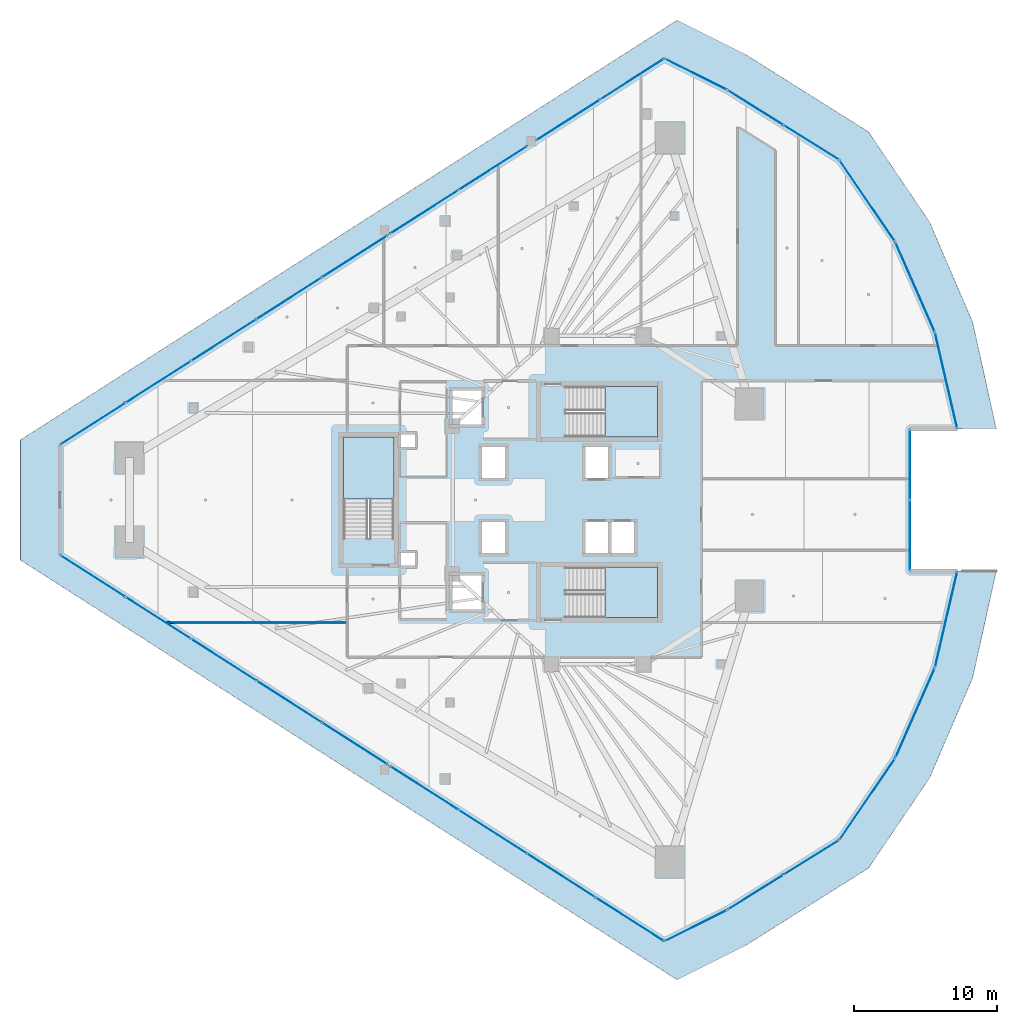
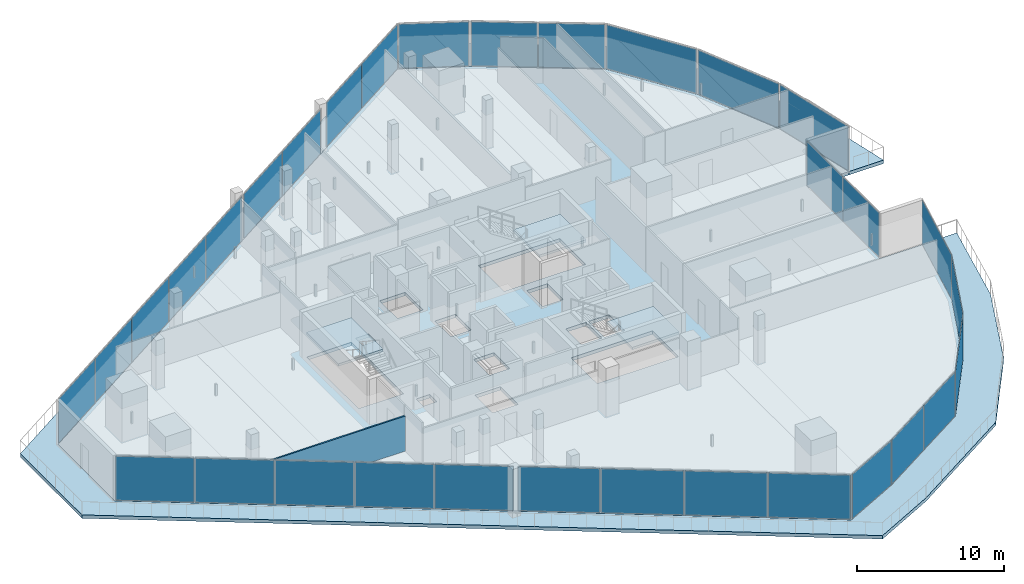
# One storey, part 22 of 35: 32 plates, 5 slabs, 1 wall, 19 elements without a shape of their own.
"""IFC4 building model written with IfcOpenShell, lengths in metres."""

from ifc_helpers import new_model, si_unit, direction, frame, frame_2d, origin, origin_2d, place, context, subcontext, project, spatial, polyline, rectangle, outline, extrude, material, layer, layer_set, type_object, element, aggregate, save


model = new_model("IFC4")

# Units and contexts
model_context = context("Model", 3, precision=1e-05, world=origin(), true_north=direction((0.0, 1.0)))
body_context = subcontext(model_context, "Body", "Model", "MODEL_VIEW")
ifc_project = project(units=[si_unit("LENGTHUNIT", "METRE"), si_unit("AREAUNIT", "SQUARE_METRE"), si_unit("VOLUMEUNIT", "CUBIC_METRE"), si_unit("PLANEANGLEUNIT", "RADIAN"), si_unit("MASSUNIT", "GRAM", prefix="KILO")], contexts=[model_context])

# Site, building, storey
site_placement = place(None, origin())
site = spatial("IfcSite", under=ifc_project, at=site_placement, CompositionType="ELEMENT")
building_placement = place(site_placement, origin())
building = spatial("IfcBuilding", under=site, at=building_placement, Name="Qorvath Tower", CompositionType="ELEMENT")
storey_placement = place(building_placement, frame((0.0, 0.0, 130.050048828125)))
storey = spatial("IfcBuildingStorey", under=building, at=storey_placement, Name="L29", CompositionType="ELEMENT", Elevation=130.050048828125)

# Curtain wall, plates
ifc_material_1 = material(Name="Anodised aluminium and triple low-E glass", Category="aluminium")
ifc_layer_1 = layer(ifc_material_1, 0.179931640625)
ifc_layer_set_1 = layer_set([ifc_layer_1], Name="CW-SYS-2")
curtain_wall_type = type_object("IfcCurtainWallType", Name="CW-SYS-2", PredefinedType="NOTDEFINED", material=ifc_layer_set_1)
curtain_wall_1_placement = place(storey_placement, origin())
curtain_wall_1 = element("IfcCurtainWall", 1, at=curtain_wall_1_placement, inside=storey, type_object=curtain_wall_type, Name="Curtain Wall CW-2 CW-T-L29-2.1", PredefinedType="NOTDEFINED")
ifc_material_2 = material(Name="Low-E triple insulated glass", Category="glass")
ifc_layer_2 = layer(ifc_material_2, 0.031982421875)
ifc_layer_set_2 = layer_set([ifc_layer_2], Name="CWP-GLZ-32")
plate_type = type_object("IfcPlateType", Name="CWP-GLZ-32", PredefinedType="CURTAIN_PANEL", material=ifc_layer_set_2)
plate_1_placement = place(storey_placement, frame((-55.589599609375, -5.318359375, 0.06494140625), z_axis=(0.0, 0.0, 1.0), x_axis=(0.842603667285, -0.538534177075, 0.0)))
plate_1 = element("IfcPlate", 2, at=plate_1_placement, type_object=plate_type, Name="CW-2 panel 1.1", PredefinedType="CURTAIN_PANEL", context=body_context, shape_type="SweptSolid", body=[
    extrude(rectangle(XDim=5.32861328125, YDim=0.031982421875, at=origin_2d()), origin(), (0.0, 0.0, 1.0), 3.650146484375),
])
plate_2_placement = place(storey_placement, frame((-51.03125, -8.231689453125, 0.06494140625), z_axis=(0.0, 0.0, 1.0), x_axis=(0.842603667285, -0.538534177075, 0.0)))
plate_2 = element("IfcPlate", 3, at=plate_2_placement, type_object=plate_type, Name="CW-2 panel 2.1", PredefinedType="CURTAIN_PANEL", context=body_context, shape_type="SweptSolid", body=[
    extrude(rectangle(XDim=5.361083984375, YDim=0.031982421875, at=origin_2d()), origin(), (0.0, 0.0, 1.0), 3.650146484375),
])
plate_3_placement = place(storey_placement, frame((-46.459228515625, -11.15380859375, 0.06494140625), z_axis=(0.0, 0.0, 1.0), x_axis=(0.842603667285, -0.538534177075, 0.0)))
plate_3 = element("IfcPlate", 4, at=plate_3_placement, type_object=plate_type, Name="CW-2 panel 3.1", PredefinedType="CURTAIN_PANEL", context=body_context, shape_type="SweptSolid", body=[
    extrude(rectangle(XDim=5.361083984375, YDim=0.031982421875, at=origin_2d()), origin(), (0.0, 0.0, 1.0), 3.650146484375),
])
plate_4_placement = place(storey_placement, frame((-41.88720703125, -14.075927734375, 0.06494140625), z_axis=(0.0, 0.0, 1.0), x_axis=(0.842603667285, -0.538534177075, 0.0)))
plate_4 = element("IfcPlate", 5, at=plate_4_placement, type_object=plate_type, Name="CW-2 panel 4.1", PredefinedType="CURTAIN_PANEL", context=body_context, shape_type="SweptSolid", body=[
    extrude(rectangle(XDim=5.361083984375, YDim=0.031982421875, at=origin_2d()), origin(), (0.0, 0.0, 1.0), 3.650146484375),
])
plate_5_placement = place(storey_placement, frame((-37.328857421875, -16.989501953125, 0.06494140625), z_axis=(0.0, 0.0, 1.0), x_axis=(0.842603667285, -0.538534177075, 0.0)))
plate_5 = element("IfcPlate", 6, at=plate_5_placement, type_object=plate_type, Name="CW-2 panel 5.1", PredefinedType="CURTAIN_PANEL", context=body_context, shape_type="SweptSolid", body=[
    extrude(rectangle(XDim=5.32861328125, YDim=0.031982421875, at=origin_2d()), origin(), (0.0, 0.0, 1.0), 3.650146484375),
])
aggregate(curtain_wall_1, [plate_1, plate_2, plate_3, plate_4, plate_5])

curtain_wall_2_placement = place(storey_placement, origin())
curtain_wall_2 = element("IfcCurtainWall", 7, at=curtain_wall_2_placement, inside=storey, type_object=curtain_wall_type, Name="Curtain Wall CW-2 CW-T-L29-2.2", PredefinedType="NOTDEFINED")
plate_6_placement = place(storey_placement, frame((-32.474853515625, -20.091796875, 0.06494140625), z_axis=(0.0, 0.0, 1.0), x_axis=(0.84260239638, -0.538536165559, 0.0)))
plate_6 = element("IfcPlate", 8, at=plate_6_placement, type_object=plate_type, Name="CW-2 panel 1.1", PredefinedType="CURTAIN_PANEL", context=body_context, shape_type="SweptSolid", body=[
    extrude(rectangle(XDim=5.582763671875, YDim=0.031982421875, at=origin_2d()), origin(), (0.0, 0.0, 1.0), 3.650146484375),
])
plate_7_placement = place(storey_placement, frame((-27.702392578125, -23.14208984375, 0.06494140625), z_axis=(0.0, 0.0, 1.0), x_axis=(0.84260239638, -0.538536165559, 0.0)))
plate_7 = element("IfcPlate", 9, at=plate_7_placement, type_object=plate_type, Name="CW-2 panel 2.1", PredefinedType="CURTAIN_PANEL", context=body_context, shape_type="SweptSolid", body=[
    extrude(rectangle(XDim=5.615234375, YDim=0.031982421875, at=origin_2d()), origin(), (0.0, 0.0, 1.0), 3.650146484375),
])
plate_8_placement = place(storey_placement, frame((-22.916015625, -26.201171875, 0.06494140625), z_axis=(0.0, 0.0, 1.0), x_axis=(0.84260239638, -0.538536165559, 0.0)))
plate_8 = element("IfcPlate", 10, at=plate_8_placement, type_object=plate_type, Name="CW-2 panel 3.1", PredefinedType="CURTAIN_PANEL", context=body_context, shape_type="SweptSolid", body=[
    extrude(rectangle(XDim=5.615234375, YDim=0.031982421875, at=origin_2d()), origin(), (0.0, 0.0, 1.0), 3.650146484375),
])
plate_9_placement = place(storey_placement, frame((-18.1435546875, -29.251220703125, 0.06494140625), z_axis=(0.0, 0.0, 1.0), x_axis=(0.84260239638, -0.538536165559, 0.0)))
plate_9 = element("IfcPlate", 11, at=plate_9_placement, type_object=plate_type, Name="CW-2 panel 4.1", PredefinedType="CURTAIN_PANEL", context=body_context, shape_type="SweptSolid", body=[
    extrude(rectangle(XDim=5.582763671875, YDim=0.031982421875, at=origin_2d()), origin(), (0.0, 0.0, 1.0), 3.650146484375),
])
aggregate(curtain_wall_2, [plate_6, plate_7, plate_8, plate_9])

# Curtain wall, plate
curtain_wall_3_placement = place(storey_placement, origin())
curtain_wall_3 = element("IfcCurtainWall", 12, at=curtain_wall_3_placement, inside=storey, type_object=curtain_wall_type, Name="Curtain Wall CW-2 CW-T-L29-3.1", PredefinedType="NOTDEFINED")
plate_10_placement = place(storey_placement, frame((-13.53759765625, -29.68994140625, 0.06494140625), z_axis=(0.0, 0.0, 1.0), x_axis=(0.894402787992, 0.447262398188, 0.0)))
plate_10 = element("IfcPlate", 13, at=plate_10_placement, type_object=plate_type, Name="CW-2 panel 1.1", PredefinedType="CURTAIN_PANEL", context=body_context, shape_type="SweptSolid", body=[
    extrude(rectangle(XDim=4.78759765625, YDim=0.031982421875, at=origin_2d()), origin(), (0.0, 0.0, 1.0), 3.650146484375),
])
aggregate(curtain_wall_3, [plate_10])

# Curtain wall, plates
curtain_wall_4_placement = place(storey_placement, origin())
curtain_wall_4 = element("IfcCurtainWall", 14, at=curtain_wall_4_placement, inside=storey, type_object=curtain_wall_type, Name="Curtain Wall CW-2 CW-T-L29-4.1", PredefinedType="NOTDEFINED")
plate_11_placement = place(storey_placement, frame((-9.370361328125, -27.361572265625, 0.06494140625), z_axis=(0.0, 0.0, 1.0), x_axis=(0.84830786263, 0.529503324069, 0.0)))
plate_11 = element("IfcPlate", 15, at=plate_11_placement, type_object=plate_type, Name="CW-2 panel 1.1", PredefinedType="CURTAIN_PANEL", context=body_context, shape_type="SweptSolid", body=[
    extrude(rectangle(XDim=4.510009765625, YDim=0.031982421875, at=origin_2d()), origin(), (0.0, 0.0, 1.0), 3.650146484375),
])
plate_12_placement = place(storey_placement, frame((-5.4892578125, -24.939208984375, 0.06494140625), z_axis=(0.0, 0.0, 1.0), x_axis=(0.84830786263, 0.529503324069, 0.0)))
plate_12 = element("IfcPlate", 16, at=plate_12_placement, type_object=plate_type, Name="CW-2 panel 2.1", PredefinedType="CURTAIN_PANEL", context=body_context, shape_type="SweptSolid", body=[
    extrude(rectangle(XDim=4.510009765625, YDim=0.031982421875, at=origin_2d()), origin(), (0.0, 0.0, 1.0), 3.650146484375),
])
aggregate(curtain_wall_4, [plate_11, plate_12])

# Curtain wall, plate
curtain_wall_5_placement = place(storey_placement, origin())
curtain_wall_5 = element("IfcCurtainWall", 17, at=curtain_wall_5_placement, inside=storey, type_object=curtain_wall_type, Name="Curtain Wall CW-2 CW-T-L29-5.1", PredefinedType="NOTDEFINED")
plate_13_placement = place(storey_placement, frame((-1.574462890625, -20.861572265625, 0.06494140625), z_axis=(0.0, 0.0, 1.0), x_axis=(0.564163835208, 0.825662865244, 0.0)))
plate_13 = element("IfcPlate", 18, at=plate_13_placement, type_object=plate_type, Name="CW-2 panel 1.1", PredefinedType="CURTAIN_PANEL", context=body_context, shape_type="SweptSolid", body=[
    extrude(rectangle(XDim=6.771484375, YDim=0.031982421875, at=origin_2d()), origin(), (0.0, 0.0, 1.0), 3.650146484375),
])
aggregate(curtain_wall_5, [plate_13])

curtain_wall_6_placement = place(storey_placement, origin())
curtain_wall_6 = element("IfcCurtainWall", 19, at=curtain_wall_6_placement, inside=storey, type_object=curtain_wall_type, Name="Curtain Wall CW-2 CW-T-L29-6.1", PredefinedType="NOTDEFINED")
plate_14_placement = place(storey_placement, frame((1.75830078125, -14.852294921875, 0.06494140625), z_axis=(0.0, 0.0, 1.0), x_axis=(0.401648703602, 0.915793818987, 0.0)))
plate_14 = element("IfcPlate", 20, at=plate_14_placement, type_object=plate_type, Name="CW-2 panel 1.1", PredefinedType="CURTAIN_PANEL", context=body_context, shape_type="SweptSolid", body=[
    extrude(rectangle(XDim=6.771484375, YDim=0.031982421875, at=origin_2d()), origin(), (0.0, 0.0, 1.0), 3.650146484375),
])
aggregate(curtain_wall_6, [plate_14])

curtain_wall_7_placement = place(storey_placement, origin())
curtain_wall_7 = element("IfcCurtainWall", 21, at=curtain_wall_7_placement, inside=storey, type_object=curtain_wall_type, Name="Curtain Wall CW-2 CW-T-L29-7.1", PredefinedType="NOTDEFINED")
plate_15_placement = place(storey_placement, frame((3.921630859375, -8.330078125, 0.06494140625), z_axis=(0.0, 0.0, 1.0), x_axis=(0.225270080166, 0.974296356855, 0.0)))
plate_15 = element("IfcPlate", 22, at=plate_15_placement, type_object=plate_type, Name="CW-2 panel 1.1", PredefinedType="CURTAIN_PANEL", context=body_context, shape_type="SweptSolid", body=[
    extrude(rectangle(XDim=6.771484375, YDim=0.031982421875, at=origin_2d()), origin(), (0.0, 0.0, 1.0), 3.650146484375),
])
aggregate(curtain_wall_7, [plate_15])

# Curtain wall, plates
curtain_wall_8_placement = place(storey_placement, origin())
curtain_wall_8 = element("IfcCurtainWall", 23, at=curtain_wall_8_placement, inside=storey, type_object=curtain_wall_type, Name="Curtain Wall CW-2 CW-T-L29-9.1", PredefinedType="NOTDEFINED")
plate_16_placement = place(storey_placement, frame((1.386962890625, -2.4677734375, 0.06494140625), z_axis=(0.0, 0.0, 1.0), x_axis=(0.0, 1.0, 0.0)))
plate_16 = element("IfcPlate", 24, at=plate_16_placement, type_object=plate_type, Name="CW-2 panel 1.1", PredefinedType="CURTAIN_PANEL", context=body_context, shape_type="SweptSolid", body=[
    extrude(rectangle(XDim=4.87060546875, YDim=0.031982421875, at=origin_2d()), origin(), (0.0, 0.0, 1.0), 3.650146484375),
])
plate_17_placement = place(storey_placement, frame((1.386962890625, 2.4677734375, 0.06494140625), z_axis=(0.0, 0.0, 1.0), x_axis=(0.0, 1.0, 0.0)))
plate_17 = element("IfcPlate", 25, at=plate_17_placement, type_object=plate_type, Name="CW-2 panel 2.1", PredefinedType="CURTAIN_PANEL", context=body_context, shape_type="SweptSolid", body=[
    extrude(rectangle(XDim=4.87060546875, YDim=0.031982421875, at=origin_2d()), origin(), (0.0, 0.0, 1.0), 3.650146484375),
])
aggregate(curtain_wall_8, [plate_16, plate_17])

# Curtain wall, plate
curtain_wall_9_placement = place(storey_placement, origin())
curtain_wall_9 = element("IfcCurtainWall", 26, at=curtain_wall_9_placement, inside=storey, type_object=curtain_wall_type, Name="Curtain Wall CW-2 CW-T-L29-11.1", PredefinedType="NOTDEFINED")
plate_18_placement = place(storey_placement, frame((3.921630859375, 8.330078125, 0.06494140625), z_axis=(0.0, 0.0, 1.0), x_axis=(-0.225270080166, 0.974296356855, 0.0)))
plate_18 = element("IfcPlate", 27, at=plate_18_placement, type_object=plate_type, Name="CW-2 panel 1.1", PredefinedType="CURTAIN_PANEL", context=body_context, shape_type="SweptSolid", body=[
    extrude(rectangle(XDim=6.771484375, YDim=0.031982421875, at=origin_2d()), origin(), (0.0, 0.0, 1.0), 3.650146484375),
])
aggregate(curtain_wall_9, [plate_18])

curtain_wall_10_placement = place(storey_placement, origin())
curtain_wall_10 = element("IfcCurtainWall", 28, at=curtain_wall_10_placement, inside=storey, type_object=curtain_wall_type, Name="Curtain Wall CW-2 CW-T-L29-12.1", PredefinedType="NOTDEFINED")
plate_19_placement = place(storey_placement, frame((1.75830078125, 14.852294921875, 0.06494140625), z_axis=(0.0, 0.0, 1.0), x_axis=(-0.401648703602, 0.915793818987, 0.0)))
plate_19 = element("IfcPlate", 29, at=plate_19_placement, type_object=plate_type, Name="CW-2 panel 1.1", PredefinedType="CURTAIN_PANEL", context=body_context, shape_type="SweptSolid", body=[
    extrude(rectangle(XDim=6.771484375, YDim=0.031982421875, at=origin_2d()), origin(), (0.0, 0.0, 1.0), 3.650146484375),
])
aggregate(curtain_wall_10, [plate_19])

curtain_wall_11_placement = place(storey_placement, origin())
curtain_wall_11 = element("IfcCurtainWall", 30, at=curtain_wall_11_placement, inside=storey, type_object=curtain_wall_type, Name="Curtain Wall CW-2 CW-T-L29-13.1", PredefinedType="NOTDEFINED")
plate_20_placement = place(storey_placement, frame((-1.574462890625, 20.861572265625, 0.06494140625), z_axis=(0.0, 0.0, 1.0), x_axis=(-0.564163835208, 0.825662865244, 0.0)))
plate_20 = element("IfcPlate", 31, at=plate_20_placement, type_object=plate_type, Name="CW-2 panel 1.1", PredefinedType="CURTAIN_PANEL", context=body_context, shape_type="SweptSolid", body=[
    extrude(rectangle(XDim=6.771484375, YDim=0.031982421875, at=origin_2d()), origin(), (0.0, 0.0, 1.0), 3.650146484375),
])
aggregate(curtain_wall_11, [plate_20])

# Curtain wall, plates
curtain_wall_12_placement = place(storey_placement, origin())
curtain_wall_12 = element("IfcCurtainWall", 32, at=curtain_wall_12_placement, inside=storey, type_object=curtain_wall_type, Name="Curtain Wall CW-2 CW-T-L29-14.1", PredefinedType="NOTDEFINED")
plate_21_placement = place(storey_placement, frame((-5.4892578125, 24.939208984375, 0.06494140625), z_axis=(0.0, 0.0, 1.0), x_axis=(-0.84830786263, 0.529503324069, 0.0)))
plate_21 = element("IfcPlate", 33, at=plate_21_placement, type_object=plate_type, Name="CW-2 panel 1.1", PredefinedType="CURTAIN_PANEL", context=body_context, shape_type="SweptSolid", body=[
    extrude(rectangle(XDim=4.510009765625, YDim=0.031982421875, at=origin_2d()), origin(), (0.0, 0.0, 1.0), 3.650146484375),
])
plate_22_placement = place(storey_placement, frame((-9.370361328125, 27.361572265625, 0.06494140625), z_axis=(0.0, 0.0, 1.0), x_axis=(-0.84830786263, 0.529503324069, 0.0)))
plate_22 = element("IfcPlate", 34, at=plate_22_placement, type_object=plate_type, Name="CW-2 panel 2.1", PredefinedType="CURTAIN_PANEL", context=body_context, shape_type="SweptSolid", body=[
    extrude(rectangle(XDim=4.510009765625, YDim=0.031982421875, at=origin_2d()), origin(), (0.0, 0.0, 1.0), 3.650146484375),
])
aggregate(curtain_wall_12, [plate_21, plate_22])

# Curtain wall, plate
curtain_wall_13_placement = place(storey_placement, origin())
curtain_wall_13 = element("IfcCurtainWall", 35, at=curtain_wall_13_placement, inside=storey, type_object=curtain_wall_type, Name="Curtain Wall CW-2 CW-T-L29-15.1", PredefinedType="NOTDEFINED")
plate_23_placement = place(storey_placement, frame((-13.53759765625, 29.68994140625, 0.06494140625), z_axis=(0.0, 0.0, 1.0), x_axis=(-0.894402787992, 0.447262398188, 0.0)))
plate_23 = element("IfcPlate", 36, at=plate_23_placement, type_object=plate_type, Name="CW-2 panel 1.1", PredefinedType="CURTAIN_PANEL", context=body_context, shape_type="SweptSolid", body=[
    extrude(rectangle(XDim=4.78759765625, YDim=0.031982421875, at=origin_2d()), origin(), (0.0, 0.0, 1.0), 3.650146484375),
])
aggregate(curtain_wall_13, [plate_23])

# Curtain wall, plates
curtain_wall_14_placement = place(storey_placement, origin())
curtain_wall_14 = element("IfcCurtainWall", 37, at=curtain_wall_14_placement, inside=storey, type_object=curtain_wall_type, Name="Curtain Wall CW-2 CW-T-L29-16.1", PredefinedType="NOTDEFINED")
plate_24_placement = place(storey_placement, frame((-17.983154296875, 29.353759765625, 0.06494140625), z_axis=(0.0, 0.0, 1.0), x_axis=(-0.842594581481, -0.538548392681, 0.0)))
plate_24 = element("IfcPlate", 38, at=plate_24_placement, type_object=plate_type, Name="CW-2 panel 1.1", PredefinedType="CURTAIN_PANEL", context=body_context, shape_type="SweptSolid", body=[
    extrude(rectangle(XDim=5.201904296875, YDim=0.031982421875, at=origin_2d()), origin(), (0.0, 0.0, 1.0), 3.650146484375),
])
plate_25_placement = place(storey_placement, frame((-22.421142578125, 26.517333984375, 0.06494140625), z_axis=(0.0, 0.0, 1.0), x_axis=(-0.842594581481, -0.538548392681, 0.0)))
plate_25 = element("IfcPlate", 39, at=plate_25_placement, type_object=plate_type, Name="CW-2 panel 2.1", PredefinedType="CURTAIN_PANEL", context=body_context, shape_type="SweptSolid", body=[
    extrude(rectangle(XDim=5.201904296875, YDim=0.031982421875, at=origin_2d()), origin(), (0.0, 0.0, 1.0), 3.650146484375),
])
aggregate(curtain_wall_14, [plate_24, plate_25])

curtain_wall_15_placement = place(storey_placement, origin())
curtain_wall_15 = element("IfcCurtainWall", 40, at=curtain_wall_15_placement, inside=storey, type_object=curtain_wall_type, Name="Curtain Wall CW-2 CW-T-L29-16.2", PredefinedType="NOTDEFINED")
plate_26_placement = place(storey_placement, frame((-27.69580078125, 23.146240234375, 0.06494140625), z_axis=(0.0, 0.0, 1.0), x_axis=(-0.842606643442, -0.538529520478, 0.0)))
plate_26 = element("IfcPlate", 41, at=plate_26_placement, type_object=plate_type, Name="CW-2 panel 1.1", PredefinedType="CURTAIN_PANEL", context=body_context, shape_type="SweptSolid", body=[
    extrude(rectangle(XDim=5.5986328125, YDim=0.031982421875, at=origin_2d()), origin(), (0.0, 0.0, 1.0), 3.650146484375),
])
plate_27_placement = place(storey_placement, frame((-32.468017578125, 20.095947265625, 0.06494140625), z_axis=(0.0, 0.0, 1.0), x_axis=(-0.842606643442, -0.538529520478, 0.0)))
plate_27 = element("IfcPlate", 42, at=plate_27_placement, type_object=plate_type, Name="CW-2 panel 2.1", PredefinedType="CURTAIN_PANEL", context=body_context, shape_type="SweptSolid", body=[
    extrude(rectangle(XDim=5.5986328125, YDim=0.031982421875, at=origin_2d()), origin(), (0.0, 0.0, 1.0), 3.650146484375),
])
aggregate(curtain_wall_15, [plate_26, plate_27])

curtain_wall_16_placement = place(storey_placement, origin())
curtain_wall_16 = element("IfcCurtainWall", 43, at=curtain_wall_16_placement, inside=storey, type_object=curtain_wall_type, Name="Curtain Wall CW-2 CW-T-L29-16.3", PredefinedType="NOTDEFINED")
plate_28_placement = place(storey_placement, frame((-37.328857421875, 16.989501953125, 0.06494140625), z_axis=(0.0, 0.0, 1.0), x_axis=(-0.842603667285, -0.538534177075, 0.0)))
plate_28 = element("IfcPlate", 44, at=plate_28_placement, type_object=plate_type, Name="CW-2 panel 1.1", PredefinedType="CURTAIN_PANEL", context=body_context, shape_type="SweptSolid", body=[
    extrude(rectangle(XDim=5.32861328125, YDim=0.031982421875, at=origin_2d()), origin(), (0.0, 0.0, 1.0), 3.650146484375),
])
plate_29_placement = place(storey_placement, frame((-41.88720703125, 14.075927734375, 0.06494140625), z_axis=(0.0, 0.0, 1.0), x_axis=(-0.842603667285, -0.538534177075, 0.0)))
plate_29 = element("IfcPlate", 45, at=plate_29_placement, type_object=plate_type, Name="CW-2 panel 2.1", PredefinedType="CURTAIN_PANEL", context=body_context, shape_type="SweptSolid", body=[
    extrude(rectangle(XDim=5.361083984375, YDim=0.031982421875, at=origin_2d()), origin(), (0.0, 0.0, 1.0), 3.650146484375),
])
plate_30_placement = place(storey_placement, frame((-46.459228515625, 11.15380859375, 0.06494140625), z_axis=(0.0, 0.0, 1.0), x_axis=(-0.842603667285, -0.538534177075, 0.0)))
plate_30 = element("IfcPlate", 46, at=plate_30_placement, type_object=plate_type, Name="CW-2 panel 3.1", PredefinedType="CURTAIN_PANEL", context=body_context, shape_type="SweptSolid", body=[
    extrude(rectangle(XDim=5.361083984375, YDim=0.031982421875, at=origin_2d()), origin(), (0.0, 0.0, 1.0), 3.650146484375),
])
plate_31_placement = place(storey_placement, frame((-51.03125, 8.231689453125, 0.06494140625), z_axis=(0.0, 0.0, 1.0), x_axis=(-0.842603667285, -0.538534177075, 0.0)))
plate_31 = element("IfcPlate", 47, at=plate_31_placement, type_object=plate_type, Name="CW-2 panel 4.1", PredefinedType="CURTAIN_PANEL", context=body_context, shape_type="SweptSolid", body=[
    extrude(rectangle(XDim=5.361083984375, YDim=0.031982421875, at=origin_2d()), origin(), (0.0, 0.0, 1.0), 3.650146484375),
])
plate_32_placement = place(storey_placement, frame((-55.589599609375, 5.318359375, 0.06494140625), z_axis=(0.0, 0.0, 1.0), x_axis=(-0.842603667285, -0.538534177075, 0.0)))
plate_32 = element("IfcPlate", 48, at=plate_32_placement, type_object=plate_type, Name="CW-2 panel 5.1", PredefinedType="CURTAIN_PANEL", context=body_context, shape_type="SweptSolid", body=[
    extrude(rectangle(XDim=5.32861328125, YDim=0.031982421875, at=origin_2d()), origin(), (0.0, 0.0, 1.0), 3.650146484375),
])
aggregate(curtain_wall_16, [plate_28, plate_29, plate_30, plate_31, plate_32])

# Stair, slab
ifc_material_3 = material(Name="Concrete C50/60", Category="concrete")
stair_type = type_object("IfcStairType", Name="ST-H405", PredefinedType="HALF_TURN_STAIR", material=ifc_material_3)
stair_1_placement = place(storey_placement, origin())
stair_1 = element("IfcStair", 49, at=stair_1_placement, inside=storey, type_object=stair_type, Name="L29 Tower Exit Stair 1", PredefinedType="HALF_TURN_STAIR")
ifc_material_4 = material(Name="Concrete C50/60", Category="concrete")
ifc_layer_3 = layer(ifc_material_4, 0.199951171875)
ifc_layer_set_3 = layer_set([ifc_layer_3], Name="SL-LND-200")
slab_type_1 = type_object("IfcSlabType", Name="SL-LND-200", PredefinedType="LANDING", material=ifc_layer_set_3)
slab_1_placement = place(storey_placement, frame((0.0, 0.0, 1.824951171875)))
slab_1 = element("IfcSlab", 50, at=slab_1_placement, type_object=slab_type_1, Name="TS1 landing 1", PredefinedType="LANDING", context=body_context, shape_type="SweptSolid", body=[
    extrude(outline(polyline([(-19.8701171875, 4.39990234375), (-16.199951171875, 4.39990234375), (-16.199951171875, 7.909912109375), (-19.8701171875, 7.909912109375), (-19.8701171875, 4.39990234375)])), origin(), (0.0, 0.0, 1.0), 0.199951171875),
])
aggregate(stair_1, [slab_1])

stair_2_placement = place(storey_placement, origin())
stair_2 = element("IfcStair", 51, at=stair_2_placement, inside=storey, type_object=stair_type, Name="L29 Tower Exit Stair 2", PredefinedType="HALF_TURN_STAIR")
slab_2_placement = place(storey_placement, frame((0.0, 0.0, 1.824951171875)))
slab_2 = element("IfcSlab", 52, at=slab_2_placement, type_object=slab_type_1, Name="TS2 landing 1", PredefinedType="LANDING", context=body_context, shape_type="SweptSolid", body=[
    extrude(outline(polyline([(-19.8701171875, -8.199951171875), (-16.199951171875, -8.199951171875), (-16.199951171875, -4.68994140625), (-19.8701171875, -4.68994140625), (-19.8701171875, -8.199951171875)])), origin(), (0.0, 0.0, 1.0), 0.199951171875),
])
aggregate(stair_2, [slab_2])

stair_3_placement = place(storey_placement, origin())
stair_3 = element("IfcStair", 53, at=stair_3_placement, inside=storey, type_object=stair_type, Name="L29 Tower Exit Stair 3", PredefinedType="HALF_TURN_STAIR")
slab_3_placement = place(storey_placement, frame((0.0, 0.0, 1.824951171875)))
slab_3 = element("IfcSlab", 54, at=slab_3_placement, type_object=slab_type_1, Name="TS3 landing 1", PredefinedType="LANDING", context=body_context, shape_type="SweptSolid", body=[
    extrude(outline(polyline([(-34.60009765625, 0.080078125), (-34.60009765625, 4.39990234375), (-38.110107421875, 4.39990234375), (-38.110107421875, 0.080078125), (-34.60009765625, 0.080078125)])), origin(), (0.0, 0.0, 1.0), 0.199951171875),
])
aggregate(stair_3, [slab_3])

# Slabs
ifc_material_5 = material(Name="Precast concrete C45/55", Category="concrete")
ifc_layer_4 = layer(ifc_material_5, 0.280029296875)
ifc_layer_set_4 = layer_set([ifc_layer_4], Name="SL-LOG-280")
slab_type_2 = type_object("IfcSlabType", Name="SL-LOG-280", PredefinedType="FLOOR", material=ifc_layer_set_4)
slab_4_placement = place(storey_placement, frame((0.0, 0.0, -0.280029296875)))
element("IfcSlab", 55, at=slab_4_placement, inside=storey, type_object=slab_type_2, Name="Tower L29 Perimeter Loggia and Terrace Slab", PredefinedType="FLOOR", context=body_context, shape_type="SweptSolid", body=[
    extrude(outline(polyline([(4.698974609375, -4.968017578125), (3.144287109375, -11.692138671875), (0.372314453125, -18.012451171875), (-3.521240234375, -23.710693359375), (-11.33837890625, -28.590087890625), (-15.73681640625, -30.78955078125), (-57.88916015625, -3.8486328125), (-57.88916015625, 3.8486328125), (-15.73681640625, 30.78955078125), (-11.33837890625, 28.590087890625), (-3.521240234375, 23.710693359375), (0.372314453125, 18.012451171875), (3.144287109375, 11.692138671875), (4.698974609375, 4.968017578125), (7.4150390625, 4.968017578125), (5.77099609375, 12.39599609375), (2.762451171875, 19.38330078125), (-1.504150390625, 25.681884765625), (-10.06787109375, 31.06787109375), (-14.847412109375, 33.457763671875), (-60.652587890625, 4.18212890625), (-60.652587890625, -4.18212890625), (-14.847412109375, -33.457763671875), (-10.06787109375, -31.06787109375), (-1.504150390625, -25.681884765625), (2.762451171875, -19.38330078125), (5.77099609375, -12.39599609375), (7.4150390625, -4.968017578125), (4.698974609375, -4.968017578125)])), origin(), (0.0, 0.0, 1.0), 0.280029296875),
])
ifc_material_6 = material(Name="Concrete C45/55", Category="concrete")
ifc_layer_5 = layer(ifc_material_6, 0.280029296875)
ifc_layer_set_5 = layer_set([ifc_layer_5], Name="SL-TYP-280")
slab_type_3 = type_object("IfcSlabType", Name="SL-TYP-280", PredefinedType="FLOOR", material=ifc_layer_set_5)
slab_5_placement = place(storey_placement, frame((0.0, 0.0, -0.280029296875)))
element("IfcSlab", 56, at=slab_5_placement, inside=storey, type_object=slab_type_3, Name="Tower L29 Interior Floor Slab", PredefinedType="FLOOR", context=body_context, shape_type="SweptSolid", body=[
    extrude(outline(polyline([(-57.88916015625, 3.8486328125), (-57.88916015625, -3.8486328125), (-15.73681640625, -30.78955078125), (-11.33837890625, -28.590087890625), (-3.521240234375, -23.710693359375), (0.372314453125, -18.012451171875), (3.144287109375, -11.692138671875), (4.698974609375, -4.968017578125), (1.386962890625, -4.968017578125), (1.386962890625, 4.968017578125), (4.698974609375, 4.968017578125), (3.144287109375, 11.692138671875), (0.372314453125, 18.012451171875), (-3.521240234375, 23.710693359375), (-11.33837890625, 28.590087890625), (-15.73681640625, 30.78955078125), (-57.88916015625, 3.8486328125)]), holes=[polyline([(-16.2451171875, -8.199951171875), (-22.625, -8.199951171875), (-22.625, -4.68994140625), (-16.2451171875, -4.68994140625), (-16.2451171875, -8.199951171875)]), polyline([(-22.625, 4.39990234375), (-22.625, 7.909912109375), (-16.2451171875, 7.909912109375), (-16.2451171875, 4.39990234375), (-22.625, 4.39990234375)]), polyline([(-17.85009765625, -3.699951171875), (-19.449951171875, -3.699951171875), (-19.449951171875, -1.550048828125), (-17.85009765625, -1.550048828125), (-17.85009765625, -3.699951171875)]), polyline([(-21.25, -3.699951171875), (-21.25, -1.550048828125), (-19.64990234375, -1.550048828125), (-19.64990234375, -3.699951171875), (-21.25, -3.699951171875)]), polyline([(-21.25, 1.550048828125), (-21.25, 3.699951171875), (-19.64990234375, 3.699951171875), (-19.64990234375, 1.550048828125), (-21.25, 1.550048828125)]), polyline([(-28.449951171875, -3.699951171875), (-28.449951171875, -1.550048828125), (-26.85009765625, -1.550048828125), (-26.85009765625, -3.699951171875), (-28.449951171875, -3.699951171875)]), polyline([(-26.85009765625, 1.550048828125), (-28.449951171875, 1.550048828125), (-28.449951171875, 3.699951171875), (-26.85009765625, 3.699951171875), (-26.85009765625, 1.550048828125)]), polyline([(-28.5, -7.64990234375), (-30.5, -7.64990234375), (-30.5, -5.25), (-28.5, -5.25), (-28.5, -7.64990234375)]), polyline([(-30.5, 5.25), (-30.5, 7.64990234375), (-28.5, 7.64990234375), (-28.5, 5.25), (-30.5, 5.25)]), polyline([(-34.14990234375, -4.6201171875), (-34.14990234375, -3.64990234375), (-33.10009765625, -3.64990234375), (-33.10009765625, -4.6201171875), (-34.14990234375, -4.6201171875)]), polyline([(-34.14990234375, 3.64990234375), (-34.14990234375, 4.6201171875), (-33.10009765625, 4.6201171875), (-33.10009765625, 3.64990234375), (-34.14990234375, 3.64990234375)]), polyline([(-34.60009765625, -2.675048828125), (-38.110107421875, -2.675048828125), (-38.110107421875, 4.35498046875), (-34.60009765625, 4.35498046875), (-34.60009765625, -2.675048828125)])]), origin(), (0.0, 0.0, 1.0), 0.280029296875),
])

# Wall
ifc_material_7 = material(Name="Gypsum board on metal studs with mineral wool", Category="gypsum")
ifc_layer_6 = layer(ifc_material_7, 0.125)
ifc_layer_set_6 = layer_set([ifc_layer_6], Name="IW-PART-125")
wall_type = type_object("IfcWallType", Name="IW-PART-125", PredefinedType="PARTITIONING", material=ifc_layer_set_6)
wall_placement = place(storey_placement, frame((-37.8828125, -8.550048828125, 0.0), z_axis=(0.0, 0.0, 1.0), x_axis=(-1.0, 0.0, 0.0)))
element("IfcWall", 57, at=wall_placement, inside=storey, type_object=wall_type, Name="Interior Partition IW-T1-L29-040", PredefinedType="PARTITIONING", context=body_context, shape_type="SweptSolid", body=[
    extrude(rectangle(XDim=12.570556640625, YDim=0.125, at=frame_2d((6.28515625, 0.0))), origin(), (0.0, 0.0, 1.0), 2.89990234375),
])

save(model, "model.ifc")
